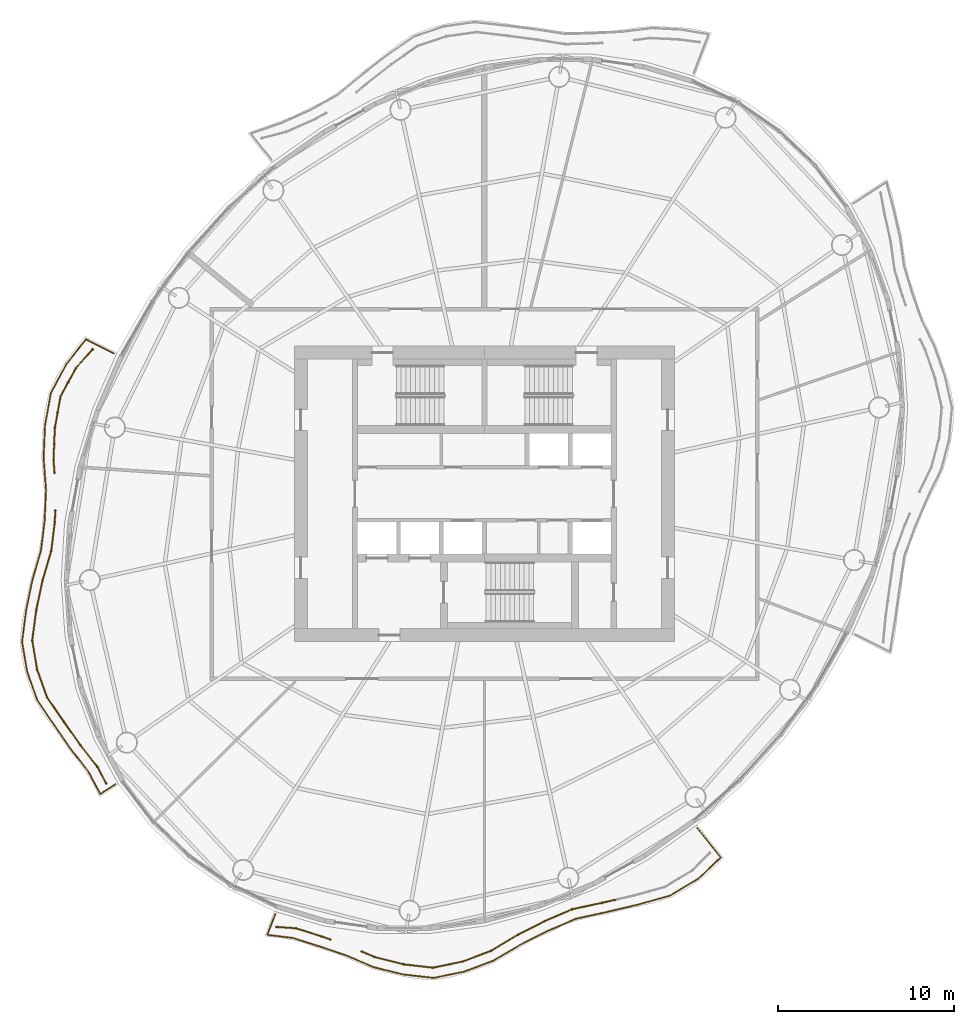
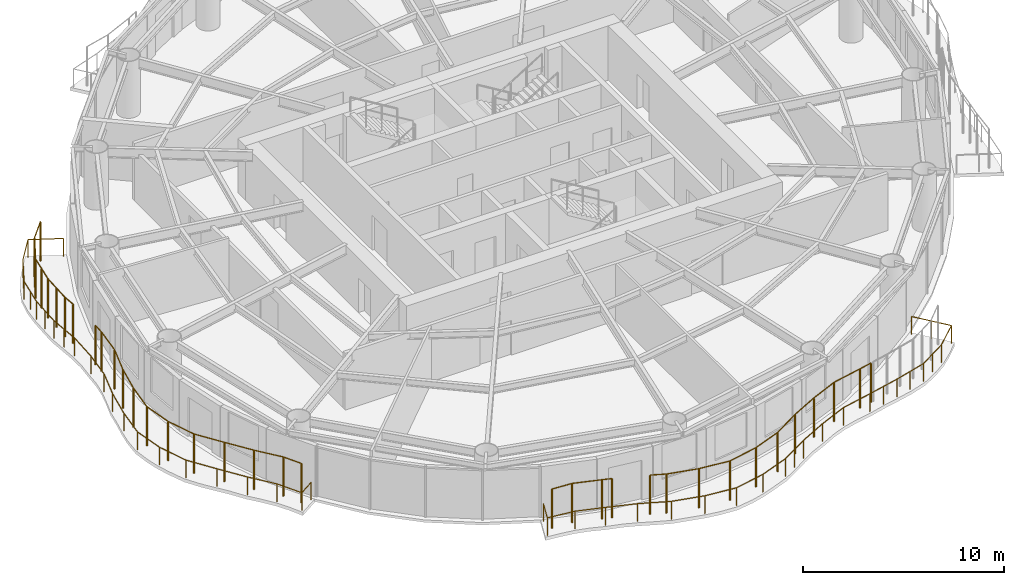
# One storey, part 12 of 14: 6 railings.
"""IFC4 building model written with IfcOpenShell, lengths in metres."""

from ifc_helpers import new_model, si_unit, direction, frame, origin, origin_2d, place, context, subcontext, project, spatial, circle, extrude, material, type_object, element, save


model = new_model("IFC4")

# Units and contexts
model_context = context("Model", 3, precision=1e-05, world=origin(), true_north=direction((0.0, 1.0)))
body_context = subcontext(model_context, "Body", "Model", "MODEL_VIEW")
ifc_project = project(units=[si_unit("LENGTHUNIT", "METRE"), si_unit("AREAUNIT", "SQUARE_METRE"), si_unit("VOLUMEUNIT", "CUBIC_METRE"), si_unit("PLANEANGLEUNIT", "RADIAN"), si_unit("MASSUNIT", "GRAM", prefix="KILO")], contexts=[model_context])

# Site, building, storey
site_placement = place(None, origin())
site = spatial("IfcSite", under=ifc_project, at=site_placement, CompositionType="ELEMENT")
building_placement = place(site_placement, origin())
building = spatial("IfcBuilding", under=site, at=building_placement, Name="Vermilion Reach Broadcast Tower", CompositionType="ELEMENT")
storey_placement = place(building_placement, frame((0.0, 0.0, 235.300048828125)))
storey = spatial("IfcBuildingStorey", under=building, at=storey_placement, Name="L58", CompositionType="ELEMENT", Elevation=235.300048828125)

# Railings
ifc_material_1 = material(Name="Terracotta baguette", Category="masonry")
railing_type_1 = type_object("IfcRailingType", Name="BAGUETTE SCREEN", PredefinedType="USERDEFINED", material=ifc_material_1)
railing_1_placement = place(storey_placement, frame((-28.257080078125, 8.21142578125, 0.0)))
element("IfcRailing", 1, at=railing_1_placement, inside=storey, type_object=railing_type_1, Name="Baguette screen L58 group 2 part 1", ObjectType="BAGUETTE SCREEN", PredefinedType="USERDEFINED", context=body_context, shape_type="SweptSolid", body=[
    extrude(circle(Radius=0.030029296875, at=origin_2d()), frame((0.0, 0.0, 2.369873046875), z_axis=(-0.667968255076, -0.744189767606, 0.0), x_axis=(0.744189767606, -0.667968255076, 0.0)), (0.0, 0.0, 1.0), 1.422119140625),
    extrude(circle(Radius=0.030029296875, at=origin_2d()), frame((-0.949951171875, -1.058349609375, 2.369873046875), z_axis=(-0.475711031278, -0.879601622736, 0.0), x_axis=(0.879601622736, -0.475711031278, 0.0)), (0.0, 0.0, 1.0), 1.842529296875),
    extrude(circle(Radius=0.030029296875, at=origin_2d()), frame((-1.826416015625, -2.678955078125, 2.369873046875), z_axis=(-0.177552757441, -0.984111283507, 0.0), x_axis=(0.984111283507, -0.177552757441, 0.0)), (0.0, 0.0, 1.0), 1.822021484375),
    extrude(circle(Radius=0.030029296875, at=origin_2d()), frame((-2.14990234375, -4.471923828125, 2.369873046875), z_axis=(-0.040350956585, -0.999185568502, 0.0), x_axis=(0.999185568502, -0.040350956585, 0.0)), (0.0, 0.0, 1.0), 1.833251953125),
    extrude(circle(Radius=0.030029296875, at=origin_2d()), frame((-2.223876953125, -6.3037109375, 2.369873046875), z_axis=(0.081542600898, -0.996669857194, 0.0), x_axis=(0.996669857194, 0.081542600898, 0.0)), (0.0, 0.0, 1.0), 0.712646484375),
    extrude(circle(Radius=0.050048828125, at=origin_2d()), origin(), (0.0, 0.0, 1.0), 2.33984375),
    extrude(circle(Radius=0.050048828125, at=origin_2d()), frame((-0.949951171875, -1.058349609375, 0.0)), (0.0, 0.0, 1.0), 2.33984375),
    extrude(circle(Radius=0.050048828125, at=origin_2d()), frame((-1.38818359375, -1.86865234375, 0.0)), (0.0, 0.0, 1.0), 2.33984375),
    extrude(circle(Radius=0.050048828125, at=origin_2d()), frame((-1.826416015625, -2.678955078125, 0.0)), (0.0, 0.0, 1.0), 2.33984375),
    extrude(circle(Radius=0.050048828125, at=origin_2d()), frame((-1.98828125, -3.575439453125, 0.0)), (0.0, 0.0, 1.0), 2.33984375),
    extrude(circle(Radius=0.050048828125, at=origin_2d()), frame((-2.14990234375, -4.471923828125, 0.0)), (0.0, 0.0, 1.0), 2.33984375),
    extrude(circle(Radius=0.050048828125, at=origin_2d()), frame((-2.18701171875, -5.3876953125, 0.0)), (0.0, 0.0, 1.0), 2.33984375),
    extrude(circle(Radius=0.050048828125, at=origin_2d()), frame((-2.223876953125, -6.3037109375, 0.0)), (0.0, 0.0, 1.0), 2.33984375),
    extrude(circle(Radius=0.050048828125, at=origin_2d()), frame((-2.165771484375, -7.013916015625, 0.0)), (0.0, 0.0, 1.0), 2.33984375),
])
railing_2_placement = place(storey_placement, frame((-30.380615234375, -0.9453125, 0.0)))
element("IfcRailing", 2, at=railing_2_placement, inside=storey, type_object=railing_type_1, Name="Baguette screen L58 group 2 part 2", ObjectType="BAGUETTE SCREEN", PredefinedType="USERDEFINED", context=body_context, shape_type="SweptSolid", body=[
    extrude(circle(Radius=0.030029296875, at=origin_2d()), frame((0.0, 0.0, 2.369873046875), z_axis=(-0.043938144577, -0.999034253392, 0.0), x_axis=(0.999034253392, -0.043938144577, 0.0)), (0.0, 0.0, 1.0), 0.65576171875),
    extrude(circle(Radius=0.030029296875, at=origin_2d()), frame((-0.02880859375, -0.655029296875, 2.369873046875), z_axis=(-0.122571197836, -0.992459722841, 0.0), x_axis=(0.992459722841, -0.122571197836, 0.0)), (0.0, 0.0, 1.0), 1.6630859375),
    extrude(circle(Radius=0.030029296875, at=origin_2d()), frame((-0.232666015625, -2.3056640625, 2.369873046875), z_axis=(-0.282744212873, -0.959195345113, 0.0), x_axis=(0.959195345113, -0.282744212873, 0.0)), (0.0, 0.0, 1.0), 1.73828125),
    extrude(circle(Radius=0.030029296875, at=origin_2d()), frame((-0.72412109375, -3.972900390625, 2.369873046875), z_axis=(-0.208122102984, -0.978102852592, 0.0), x_axis=(0.978102852592, -0.208122102984, 0.0)), (0.0, 0.0, 1.0), 1.718505859375),
    extrude(circle(Radius=0.030029296875, at=origin_2d()), frame((-1.081787109375, -5.65380859375, 2.369873046875), z_axis=(-0.131669298309, -0.991293698095, 0.0), x_axis=(0.991293698095, -0.131669298309, 0.0)), (0.0, 0.0, 1.0), 1.74658203125),
    extrude(circle(Radius=0.030029296875, at=origin_2d()), frame((-1.311767578125, -7.38525390625, 2.369873046875), z_axis=(0.166316667656, -0.986072393924, 0.0), x_axis=(0.986072393924, 0.166316667656, 0.0)), (0.0, 0.0, 1.0), 1.671875),
    extrude(circle(Radius=0.030029296875, at=origin_2d()), frame((-1.03369140625, -9.033935546875, 2.369873046875), z_axis=(0.337274375333, -0.941406392449, 0.0), x_axis=(0.941406392449, 0.337274375333, 0.0)), (0.0, 0.0, 1.0), 1.681640625),
    extrude(circle(Radius=0.030029296875, at=origin_2d()), frame((-0.466552734375, -10.616943359375, 2.369873046875), z_axis=(0.565209484296, -0.824947415816, 0.0), x_axis=(0.824947415816, 0.565209484296, 0.0)), (0.0, 0.0, 1.0), 1.681640625),
    extrude(circle(Radius=0.030029296875, at=origin_2d()), frame((0.48388671875, -12.004150390625, 2.369873046875), z_axis=(0.576418170347, -0.817154876932, 0.0), x_axis=(0.817154876932, 0.576418170347, 0.0)), (0.0, 0.0, 1.0), 1.627685546875),
    extrude(circle(Radius=0.030029296875, at=origin_2d()), frame((1.422119140625, -13.334228515625, 2.369873046875), z_axis=(0.617033569769, -0.786936829598, 0.0), x_axis=(0.786936829598, 0.617033569769, 0.0)), (0.0, 0.0, 1.0), 1.560546875),
    extrude(circle(Radius=0.030029296875, at=origin_2d()), frame((2.385009765625, -14.562255859375, 2.369873046875), z_axis=(0.469510863882, -0.882926694974, 0.0), x_axis=(0.882926694974, 0.469510863882, 0.0)), (0.0, 0.0, 1.0), 1.070556640625),
    extrude(circle(Radius=0.050048828125, at=origin_2d()), origin(), (0.0, 0.0, 1.0), 2.33984375),
    extrude(circle(Radius=0.050048828125, at=origin_2d()), frame((-0.02880859375, -0.655029296875, 0.0)), (0.0, 0.0, 1.0), 2.33984375),
    extrude(circle(Radius=0.050048828125, at=origin_2d()), frame((-0.232666015625, -2.3056640625, 0.0)), (0.0, 0.0, 1.0), 2.33984375),
    extrude(circle(Radius=0.050048828125, at=origin_2d()), frame((-0.72412109375, -3.972900390625, 0.0)), (0.0, 0.0, 1.0), 2.33984375),
    extrude(circle(Radius=0.050048828125, at=origin_2d()), frame((-1.081787109375, -5.65380859375, 0.0)), (0.0, 0.0, 1.0), 2.33984375),
    extrude(circle(Radius=0.050048828125, at=origin_2d()), frame((-1.311767578125, -7.38525390625, 0.0)), (0.0, 0.0, 1.0), 2.33984375),
    extrude(circle(Radius=0.050048828125, at=origin_2d()), frame((-1.03369140625, -9.033935546875, 0.0)), (0.0, 0.0, 1.0), 2.33984375),
    extrude(circle(Radius=0.050048828125, at=origin_2d()), frame((-0.466552734375, -10.616943359375, 0.0)), (0.0, 0.0, 1.0), 2.33984375),
    extrude(circle(Radius=0.050048828125, at=origin_2d()), frame((0.48388671875, -12.004150390625, 0.0)), (0.0, 0.0, 1.0), 2.33984375),
    extrude(circle(Radius=0.050048828125, at=origin_2d()), frame((1.422119140625, -13.334228515625, 0.0)), (0.0, 0.0, 1.0), 2.33984375),
    extrude(circle(Radius=0.050048828125, at=origin_2d()), frame((2.385009765625, -14.562255859375, 0.0)), (0.0, 0.0, 1.0), 2.33984375),
    extrude(circle(Radius=0.050048828125, at=origin_2d()), frame((2.8876953125, -15.507568359375, 0.0)), (0.0, 0.0, 1.0), 2.33984375),
])
railing_3_placement = place(storey_placement, frame((-17.808837890625, -24.607666015625, 0.0)))
element("IfcRailing", 3, at=railing_3_placement, inside=storey, type_object=railing_type_1, Name="Baguette screen L58 group 3 part 1", ObjectType="BAGUETTE SCREEN", PredefinedType="USERDEFINED", context=body_context, shape_type="SweptSolid", body=[
    extrude(circle(Radius=0.030029296875, at=origin_2d()), frame((0.0, 0.0, 2.369873046875), z_axis=(0.997620475431, -0.068944811268, 0.0), x_axis=(0.068944811268, 0.997620475431, 0.0)), (0.0, 0.0, 1.0), 1.115478515625),
    extrude(circle(Radius=0.030029296875, at=origin_2d()), frame((1.11279296875, -0.076904296875, 2.369873046875), z_axis=(0.95231220452, -0.305125326912, 0.0), x_axis=(0.305125326912, 0.95231220452, 0.0)), (0.0, 0.0, 1.0), 1.520263671875),
    extrude(circle(Radius=0.030029296875, at=origin_2d()), frame((2.560546875, -0.540771484375, 2.369873046875), z_axis=(0.946606430931, -0.32239147774, 0.0), x_axis=(0.32239147774, 0.946606430931, 0.0)), (0.0, 0.0, 1.0), 0.510498046875),
    extrude(circle(Radius=0.050048828125, at=origin_2d()), origin(), (0.0, 0.0, 1.0), 2.33984375),
    extrude(circle(Radius=0.050048828125, at=origin_2d()), frame((1.11279296875, -0.076904296875, 0.0)), (0.0, 0.0, 1.0), 2.33984375),
    extrude(circle(Radius=0.050048828125, at=origin_2d()), frame((2.560546875, -0.540771484375, 0.0)), (0.0, 0.0, 1.0), 2.33984375),
    extrude(circle(Radius=0.050048828125, at=origin_2d()), frame((3.043701171875, -0.705322265625, 0.0)), (0.0, 0.0, 1.0), 2.33984375),
])
railing_4_placement = place(storey_placement, frame((-12.971923828125, -25.9990234375, 0.0)))
element("IfcRailing", 4, at=railing_4_placement, inside=storey, type_object=railing_type_1, Name="Baguette screen L58 group 3 part 2", ObjectType="BAGUETTE SCREEN", PredefinedType="USERDEFINED", context=body_context, shape_type="SweptSolid", body=[
    extrude(circle(Radius=0.030029296875, at=origin_2d()), frame((0.0, 0.0, 2.369873046875), z_axis=(0.916392557656, -0.400280751814, 0.0), x_axis=(0.400280751814, 0.916392557656, 0.0)), (0.0, 0.0, 1.0), 0.809326171875),
    extrude(circle(Radius=0.030029296875, at=origin_2d()), frame((0.74169921875, -0.323974609375, 2.369873046875), z_axis=(0.970227394783, -0.242195793547, 0.0), x_axis=(0.242195793547, 0.970227394783, 0.0)), (0.0, 0.0, 1.0), 1.6904296875),
    extrude(circle(Radius=0.030029296875, at=origin_2d()), frame((2.3818359375, -0.7333984375, 2.369873046875), z_axis=(0.993460172664, -0.114179180806, 0.0), x_axis=(0.114179180806, 0.993460172664, 0.0)), (0.0, 0.0, 1.0), 1.68701171875),
    extrude(circle(Radius=0.030029296875, at=origin_2d()), frame((4.057861328125, -0.926025390625, 2.369873046875), z_axis=(0.978812455811, 0.204758824838, 0.0), x_axis=(-0.204758824838, 0.978812455811, 0.0)), (0.0, 0.0, 1.0), 1.720458984375),
    extrude(circle(Radius=0.030029296875, at=origin_2d()), frame((5.741943359375, -0.57373046875, 2.369873046875), z_axis=(0.935633546403, 0.352972898173, 0.0), x_axis=(-0.352972898173, 0.935633546403, 0.0)), (0.0, 0.0, 1.0), 1.720947265625),
    extrude(circle(Radius=0.030029296875, at=origin_2d()), frame((7.35205078125, 0.03369140625, 2.369873046875), z_axis=(0.857360242377, 0.514716829714, 0.0), x_axis=(-0.514716829714, 0.857360242377, 0.0)), (0.0, 0.0, 1.0), 1.786376953125),
    extrude(circle(Radius=0.030029296875, at=origin_2d()), frame((8.883544921875, 0.953125, 2.369873046875), z_axis=(0.892202617043, 0.451635350854, 0.0), x_axis=(-0.451635350854, 0.892202617043, 0.0)), (0.0, 0.0, 1.0), 1.698486328125),
    extrude(circle(Radius=0.030029296875, at=origin_2d()), frame((10.39892578125, 1.72021484375, 2.369873046875), z_axis=(0.917752537895, 0.397152715196, 0.0), x_axis=(-0.397152715196, 0.917752537895, 0.0)), (0.0, 0.0, 1.0), 1.702880859375),
    extrude(circle(Radius=0.030029296875, at=origin_2d()), frame((11.961669921875, 2.396484375, 2.369873046875), z_axis=(0.977708022167, 0.209969101036, 0.0), x_axis=(-0.209969101036, 0.977708022167, 0.0)), (0.0, 0.0, 1.0), 1.742919921875),
    extrude(circle(Radius=0.030029296875, at=origin_2d()), frame((13.665771484375, 2.762451171875, 2.369873046875), z_axis=(0.974289385436, 0.22530022953, 0.0), x_axis=(-0.22530022953, 0.974289385436, 0.0)), (0.0, 0.0, 1.0), 0.728271484375),
    extrude(circle(Radius=0.050048828125, at=origin_2d()), origin(), (0.0, 0.0, 1.0), 2.33984375),
    extrude(circle(Radius=0.050048828125, at=origin_2d()), frame((0.74169921875, -0.323974609375, 0.0)), (0.0, 0.0, 1.0), 2.33984375),
    extrude(circle(Radius=0.050048828125, at=origin_2d()), frame((2.3818359375, -0.7333984375, 0.0)), (0.0, 0.0, 1.0), 2.33984375),
    extrude(circle(Radius=0.050048828125, at=origin_2d()), frame((4.057861328125, -0.926025390625, 0.0)), (0.0, 0.0, 1.0), 2.33984375),
    extrude(circle(Radius=0.050048828125, at=origin_2d()), frame((5.741943359375, -0.57373046875, 0.0)), (0.0, 0.0, 1.0), 2.33984375),
    extrude(circle(Radius=0.050048828125, at=origin_2d()), frame((7.35205078125, 0.03369140625, 0.0)), (0.0, 0.0, 1.0), 2.33984375),
    extrude(circle(Radius=0.050048828125, at=origin_2d()), frame((8.883544921875, 0.953125, 0.0)), (0.0, 0.0, 1.0), 2.33984375),
    extrude(circle(Radius=0.050048828125, at=origin_2d()), frame((10.39892578125, 1.72021484375, 0.0)), (0.0, 0.0, 1.0), 2.33984375),
    extrude(circle(Radius=0.050048828125, at=origin_2d()), frame((11.961669921875, 2.396484375, 0.0)), (0.0, 0.0, 1.0), 2.33984375),
    extrude(circle(Radius=0.050048828125, at=origin_2d()), frame((13.665771484375, 2.762451171875, 0.0)), (0.0, 0.0, 1.0), 2.33984375),
    extrude(circle(Radius=0.050048828125, at=origin_2d()), frame((14.375244140625, 2.926513671875, 0.0)), (0.0, 0.0, 1.0), 2.33984375),
])
ifc_material_2 = material(Name="Stainless steel 316 balustrade", Category="steel")
railing_type_2 = type_object("IfcRailingType", Name="Balcony guard 1100", PredefinedType="BALUSTRADE", material=ifc_material_2)
railing_5_placement = place(storey_placement, frame((-27.054443359375, 7.974853515625, 0.0)))
element("IfcRailing", 5, at=railing_5_placement, inside=storey, type_object=railing_type_2, Name="Balcony guard L58 group 2", PredefinedType="BALUSTRADE", context=body_context, shape_type="SweptSolid", body=[
    extrude(circle(Radius=0.02490234375, at=origin_2d()), frame((0.0, 0.0, 1.0751953125), z_axis=(-0.893188386362, 0.449682673079, 0.0), x_axis=(-0.449682673079, -0.893188386362, 0.0)), (0.0, 0.0, 1.0), 1.778564453125),
    extrude(circle(Radius=0.02490234375, at=origin_2d()), frame((-1.588623046875, 0.7998046875, 1.0751953125), z_axis=(-0.619075996408, -0.785331083475, 0.0), x_axis=(0.785331083475, -0.619075996408, 0.0)), (0.0, 0.0, 1.0), 1.76953125),
    extrude(circle(Radius=0.02490234375, at=origin_2d()), frame((-2.68408203125, -0.58984375, 1.0751953125), z_axis=(-0.474092058242, -0.88047528092, 0.0), x_axis=(0.88047528092, -0.474092058242, 0.0)), (0.0, 0.0, 1.0), 1.875),
    extrude(circle(Radius=0.02490234375, at=origin_2d()), frame((-3.572998046875, -2.24072265625, 1.0751953125), z_axis=(-0.180136769992, -0.983641572981, 0.0), x_axis=(0.983641572981, -0.180136769992, 0.0)), (0.0, 0.0, 1.0), 1.85400390625),
    extrude(circle(Radius=0.02490234375, at=origin_2d()), frame((-3.906982421875, -4.064453125, 1.0751953125), z_axis=(-0.044470233221, -0.999010709831, 0.0), x_axis=(0.999010709831, -0.044470233221, 0.0)), (0.0, 0.0, 1.0), 1.86669921875),
    extrude(circle(Radius=0.02490234375, at=origin_2d()), frame((-3.989990234375, -5.92919921875, 1.0751953125), z_axis=(0.076187216045, -0.997093530272, 0.0), x_axis=(0.997093530272, 0.076187216045, 0.0)), (0.0, 0.0, 1.0), 1.8330078125),
    extrude(circle(Radius=0.02490234375, at=origin_2d()), frame((-3.850341796875, -7.7568359375, 1.0751953125), z_axis=(-0.045888497749, -0.998946568028, 0.0), x_axis=(0.998946568028, -0.045888497749, 0.0)), (0.0, 0.0, 1.0), 1.75048828125),
    extrude(circle(Radius=0.02490234375, at=origin_2d()), frame((-3.9306640625, -9.50537109375, 1.0751953125), z_axis=(-0.122017981253, -0.992527889911, 0.0), x_axis=(0.992527889911, -0.122017981253, 0.0)), (0.0, 0.0, 1.0), 1.69873046875),
    extrude(circle(Radius=0.02490234375, at=origin_2d()), frame((-4.137939453125, -11.19140625, 1.0751953125), z_axis=(-0.277573523746, -0.96070439726, 0.0), x_axis=(0.96070439726, -0.277573523746, 0.0)), (0.0, 0.0, 1.0), 1.774169921875),
    extrude(circle(Radius=0.02490234375, at=origin_2d()), frame((-4.63037109375, -12.895751953125, 1.0751953125), z_axis=(-0.203015093431, -0.979175608274, 0.0), x_axis=(0.979175608274, -0.203015093431, 0.0)), (0.0, 0.0, 1.0), 1.754638671875),
    extrude(circle(Radius=0.02490234375, at=origin_2d()), frame((-4.986572265625, -14.61376953125, 1.0751953125), z_axis=(-0.126660522669, -0.991946123536, 0.0), x_axis=(0.991946123536, -0.126660522669, 0.0)), (0.0, 0.0, 1.0), 1.784912109375),
    extrude(circle(Radius=0.02490234375, at=origin_2d()), frame((-5.212646484375, -16.38427734375, 1.0751953125), z_axis=(0.166365336205, -0.986064183971, 0.0), x_axis=(0.986064183971, 0.166365336205, 0.0)), (0.0, 0.0, 1.0), 1.711181640625),
    extrude(circle(Radius=0.02490234375, at=origin_2d()), frame((-4.927978515625, -18.071533203125, 1.0751953125), z_axis=(0.33491739294, -0.942247493977, 0.0), x_axis=(0.942247493977, 0.33491739294, 0.0)), (0.0, 0.0, 1.0), 1.722412109375),
    extrude(circle(Radius=0.02490234375, at=origin_2d()), frame((-4.35107421875, -19.694580078125, 1.0751953125), z_axis=(0.559567859476, -0.828784538129, 0.0), x_axis=(0.828784538129, 0.559567859476, 0.0)), (0.0, 0.0, 1.0), 1.72119140625),
    extrude(circle(Radius=0.02490234375, at=origin_2d()), frame((-3.387939453125, -21.12109375, 1.0751953125), z_axis=(0.571655486307, -0.820493756817, 0.0), x_axis=(0.820493756817, 0.571655486307, 0.0)), (0.0, 0.0, 1.0), 1.669921875),
    extrude(circle(Radius=0.02490234375, at=origin_2d()), frame((-2.433349609375, -22.4912109375, 1.0751953125), z_axis=(0.612621623928, -0.790376331816, 0.0), x_axis=(0.790376331816, 0.612621623928, 0.0)), (0.0, 0.0, 1.0), 1.602783203125),
    extrude(circle(Radius=0.02490234375, at=origin_2d()), frame((-1.451416015625, -23.758056640625, 1.0751953125), z_axis=(0.471972946941, -0.881613031526, 0.0), x_axis=(0.881613031526, 0.471972946941, 0.0)), (0.0, 0.0, 1.0), 1.4453125),
    extrude(circle(Radius=0.02490234375, at=origin_2d()), frame((-0.769287109375, -25.0322265625, 1.0751953125), z_axis=(0.840510626331, 0.541795059985, 0.0), x_axis=(-0.541795059985, 0.840510626331, 0.0)), (0.0, 0.0, 1.0), 1.0224609375),
    extrude(circle(Radius=0.02490234375, at=origin_2d()), origin(), (0.0, 0.0, 1.0), 1.050048828125),
    extrude(circle(Radius=0.02490234375, at=origin_2d()), frame((-1.588623046875, 0.7998046875, 0.0)), (0.0, 0.0, 1.0), 1.050048828125),
    extrude(circle(Radius=0.02490234375, at=origin_2d()), frame((-2.68408203125, -0.58984375, 0.0)), (0.0, 0.0, 1.0), 1.050048828125),
    extrude(circle(Radius=0.02490234375, at=origin_2d()), frame((-3.12841796875, -1.415283203125, 0.0)), (0.0, 0.0, 1.0), 1.050048828125),
    extrude(circle(Radius=0.02490234375, at=origin_2d()), frame((-3.572998046875, -2.24072265625, 0.0)), (0.0, 0.0, 1.0), 1.050048828125),
    extrude(circle(Radius=0.02490234375, at=origin_2d()), frame((-3.739990234375, -3.152587890625, 0.0)), (0.0, 0.0, 1.0), 1.050048828125),
    extrude(circle(Radius=0.02490234375, at=origin_2d()), frame((-3.906982421875, -4.064453125, 0.0)), (0.0, 0.0, 1.0), 1.050048828125),
    extrude(circle(Radius=0.02490234375, at=origin_2d()), frame((-3.948486328125, -4.996826171875, 0.0)), (0.0, 0.0, 1.0), 1.050048828125),
    extrude(circle(Radius=0.02490234375, at=origin_2d()), frame((-3.989990234375, -5.92919921875, 0.0)), (0.0, 0.0, 1.0), 1.050048828125),
    extrude(circle(Radius=0.02490234375, at=origin_2d()), frame((-3.920166015625, -6.843017578125, 0.0)), (0.0, 0.0, 1.0), 1.050048828125),
    extrude(circle(Radius=0.02490234375, at=origin_2d()), frame((-3.850341796875, -7.7568359375, 0.0)), (0.0, 0.0, 1.0), 1.050048828125),
    extrude(circle(Radius=0.02490234375, at=origin_2d()), frame((-3.9306640625, -9.50537109375, 0.0)), (0.0, 0.0, 1.0), 1.050048828125),
    extrude(circle(Radius=0.02490234375, at=origin_2d()), frame((-4.137939453125, -11.19140625, 0.0)), (0.0, 0.0, 1.0), 1.050048828125),
    extrude(circle(Radius=0.02490234375, at=origin_2d()), frame((-4.63037109375, -12.895751953125, 0.0)), (0.0, 0.0, 1.0), 1.050048828125),
    extrude(circle(Radius=0.02490234375, at=origin_2d()), frame((-4.986572265625, -14.61376953125, 0.0)), (0.0, 0.0, 1.0), 1.050048828125),
    extrude(circle(Radius=0.02490234375, at=origin_2d()), frame((-5.212646484375, -16.38427734375, 0.0)), (0.0, 0.0, 1.0), 1.050048828125),
    extrude(circle(Radius=0.02490234375, at=origin_2d()), frame((-4.927978515625, -18.071533203125, 0.0)), (0.0, 0.0, 1.0), 1.050048828125),
    extrude(circle(Radius=0.02490234375, at=origin_2d()), frame((-4.35107421875, -19.694580078125, 0.0)), (0.0, 0.0, 1.0), 1.050048828125),
    extrude(circle(Radius=0.02490234375, at=origin_2d()), frame((-3.387939453125, -21.12109375, 0.0)), (0.0, 0.0, 1.0), 1.050048828125),
    extrude(circle(Radius=0.02490234375, at=origin_2d()), frame((-2.433349609375, -22.4912109375, 0.0)), (0.0, 0.0, 1.0), 1.050048828125),
    extrude(circle(Radius=0.02490234375, at=origin_2d()), frame((-1.451416015625, -23.758056640625, 0.0)), (0.0, 0.0, 1.0), 1.050048828125),
    extrude(circle(Radius=0.02490234375, at=origin_2d()), frame((-0.769287109375, -25.0322265625, 0.0)), (0.0, 0.0, 1.0), 1.050048828125),
    extrude(circle(Radius=0.02490234375, at=origin_2d()), frame((0.090087890625, -24.478271484375, 0.0)), (0.0, 0.0, 1.0), 1.050048828125),
])
railing_6_placement = place(storey_placement, frame((-17.88427734375, -23.887939453125, 0.0)))
element("IfcRailing", 6, at=railing_6_placement, inside=storey, type_object=railing_type_2, Name="Balcony guard L58 group 3", PredefinedType="BALUSTRADE", context=body_context, shape_type="SweptSolid", body=[
    extrude(circle(Radius=0.02490234375, at=origin_2d()), frame((0.0, 0.0, 1.0751953125), z_axis=(-0.359201577835, -0.9332599994, 0.0), x_axis=(0.9332599994, -0.359201577835, 0.0)), (0.0, 0.0, 1.0), 1.25),
    extrude(circle(Radius=0.02490234375, at=origin_2d()), frame((-0.448974609375, -1.16650390625, 1.0751953125), z_axis=(0.99212262411, -0.125270502231, 0.0), x_axis=(0.125270502231, 0.99212262411, 0.0)), (0.0, 0.0, 1.0), 1.483154296875),
    extrude(circle(Radius=0.02490234375, at=origin_2d()), frame((1.0224609375, -1.352294921875, 1.0751953125), z_axis=(0.952800586112, -0.303596843042, 0.0), x_axis=(0.303596843042, 0.952800586112, 0.0)), (0.0, 0.0, 1.0), 1.563232421875),
    extrude(circle(Radius=0.02490234375, at=origin_2d()), frame((2.511962890625, -1.826904296875, 1.0751953125), z_axis=(0.947806543628, -0.318845975128, 0.0), x_axis=(0.318845975128, 0.947806543628, 0.0)), (0.0, 0.0, 1.0), 1.621826171875),
    extrude(circle(Radius=0.02490234375, at=origin_2d()), frame((4.049072265625, -2.343994140625, 1.0751953125), z_axis=(0.919315616122, -0.393521026065, 0.0), x_axis=(0.393521026065, 0.919315616122, 0.0)), (0.0, 0.0, 1.0), 1.70166015625),
    extrude(circle(Radius=0.02490234375, at=origin_2d()), frame((5.613525390625, -3.013671875, 1.0751953125), z_axis=(0.971414910294, -0.237388020041, 0.0), x_axis=(0.237388020041, 0.971414910294, 0.0)), (0.0, 0.0, 1.0), 1.73095703125),
    extrude(circle(Radius=0.02490234375, at=origin_2d()), frame((7.294921875, -3.424560546875, 1.0751953125), z_axis=(0.993845719877, -0.110773124365, 0.0), x_axis=(0.110773124365, 0.993845719877, 0.0)), (0.0, 0.0, 1.0), 1.725830078125),
    extrude(circle(Radius=0.02490234375, at=origin_2d()), frame((9.010009765625, -3.61572265625, 1.0751953125), z_axis=(0.979273704819, 0.202541381079, 0.0), x_axis=(-0.202541381079, 0.979273704819, 0.0)), (0.0, 0.0, 1.0), 1.759765625),
    extrude(circle(Radius=0.02490234375, at=origin_2d()), frame((10.7333984375, -3.25927734375, 1.0751953125), z_axis=(0.937058047862, 0.349173617182, 0.0), x_axis=(-0.349173617182, 0.937058047862, 0.0)), (0.0, 0.0, 1.0), 1.757080078125),
    extrude(circle(Radius=0.02490234375, at=origin_2d()), frame((12.3798828125, -2.645751953125, 1.0751953125), z_axis=(0.860563497227, 0.50934317237, 0.0), x_axis=(-0.50934317237, 0.860563497227, 0.0)), (0.0, 0.0, 1.0), 1.822021484375),
    extrude(circle(Radius=0.02490234375, at=origin_2d()), frame((13.94775390625, -1.7177734375, 1.0751953125), z_axis=(0.893806611288, 0.448452607996, 0.0), x_axis=(-0.448452607996, 0.893806611288, 0.0)), (0.0, 0.0, 1.0), 1.7333984375),
    extrude(circle(Radius=0.02490234375, at=origin_2d()), frame((15.4970703125, -0.9404296875, 1.0751953125), z_axis=(0.918132056063, 0.396274560917, 0.0), x_axis=(-0.396274560917, 0.918132056063, 0.0)), (0.0, 0.0, 1.0), 1.738037109375),
    extrude(circle(Radius=0.02490234375, at=origin_2d()), frame((17.0927734375, -0.251708984375, 1.0751953125), z_axis=(0.976867729551, 0.213844427009, 0.0), x_axis=(-0.213844427009, 0.976867729551, 0.0)), (0.0, 0.0, 1.0), 1.7763671875),
    extrude(circle(Radius=0.02490234375, at=origin_2d()), frame((18.828125, 0.128173828125, 1.0751953125), z_axis=(0.973325492738, 0.229428605857, 0.0), x_axis=(-0.229428605857, 0.973325492738, 0.0)), (0.0, 0.0, 1.0), 1.8525390625),
    extrude(circle(Radius=0.02490234375, at=origin_2d()), frame((20.63134765625, 0.55322265625, 1.0751953125), z_axis=(0.962780696556, 0.270283795923, 0.0), x_axis=(-0.270283795923, 0.962780696556, 0.0)), (0.0, 0.0, 1.0), 1.88330078125),
    extrude(circle(Radius=0.02490234375, at=origin_2d()), frame((22.444580078125, 1.062255859375, 1.0751953125), z_axis=(0.855210133835, 0.518281416787, 0.0), x_axis=(-0.518281416787, 0.855210133835, 0.0)), (0.0, 0.0, 1.0), 1.865966796875),
    extrude(circle(Radius=0.02490234375, at=origin_2d()), frame((24.040283203125, 2.029296875, 1.0751953125), z_axis=(0.727949823087, 0.685630407048, 0.0), x_axis=(-0.685630407048, 0.727949823087, 0.0)), (0.0, 0.0, 1.0), 1.748046875),
    extrude(circle(Radius=0.02490234375, at=origin_2d()), frame((25.312744140625, 3.227783203125, 1.0751953125), z_axis=(-0.622226175855, 0.782837522147, 0.0), x_axis=(-0.782837522147, -0.622226175855, 0.0)), (0.0, 0.0, 1.0), 2.13720703125),
    extrude(circle(Radius=0.02490234375, at=origin_2d()), origin(), (0.0, 0.0, 1.0), 1.050048828125),
    extrude(circle(Radius=0.02490234375, at=origin_2d()), frame((-0.448974609375, -1.16650390625, 0.0)), (0.0, 0.0, 1.0), 1.050048828125),
    extrude(circle(Radius=0.02490234375, at=origin_2d()), frame((1.0224609375, -1.352294921875, 0.0)), (0.0, 0.0, 1.0), 1.050048828125),
    extrude(circle(Radius=0.02490234375, at=origin_2d()), frame((2.511962890625, -1.826904296875, 0.0)), (0.0, 0.0, 1.0), 1.050048828125),
    extrude(circle(Radius=0.02490234375, at=origin_2d()), frame((4.049072265625, -2.343994140625, 0.0)), (0.0, 0.0, 1.0), 1.050048828125),
    extrude(circle(Radius=0.02490234375, at=origin_2d()), frame((5.613525390625, -3.013671875, 0.0)), (0.0, 0.0, 1.0), 1.050048828125),
    extrude(circle(Radius=0.02490234375, at=origin_2d()), frame((7.294921875, -3.424560546875, 0.0)), (0.0, 0.0, 1.0), 1.050048828125),
    extrude(circle(Radius=0.02490234375, at=origin_2d()), frame((9.010009765625, -3.61572265625, 0.0)), (0.0, 0.0, 1.0), 1.050048828125),
    extrude(circle(Radius=0.02490234375, at=origin_2d()), frame((10.7333984375, -3.25927734375, 0.0)), (0.0, 0.0, 1.0), 1.050048828125),
    extrude(circle(Radius=0.02490234375, at=origin_2d()), frame((12.3798828125, -2.645751953125, 0.0)), (0.0, 0.0, 1.0), 1.050048828125),
    extrude(circle(Radius=0.02490234375, at=origin_2d()), frame((13.163818359375, -2.181640625, 0.0)), (0.0, 0.0, 1.0), 1.050048828125),
    extrude(circle(Radius=0.02490234375, at=origin_2d()), frame((13.94775390625, -1.7177734375, 0.0)), (0.0, 0.0, 1.0), 1.050048828125),
    extrude(circle(Radius=0.02490234375, at=origin_2d()), frame((15.4970703125, -0.9404296875, 0.0)), (0.0, 0.0, 1.0), 1.050048828125),
    extrude(circle(Radius=0.02490234375, at=origin_2d()), frame((17.0927734375, -0.251708984375, 0.0)), (0.0, 0.0, 1.0), 1.050048828125),
    extrude(circle(Radius=0.02490234375, at=origin_2d()), frame((18.828125, 0.128173828125, 0.0)), (0.0, 0.0, 1.0), 1.050048828125),
    extrude(circle(Radius=0.02490234375, at=origin_2d()), frame((19.729736328125, 0.3408203125, 0.0)), (0.0, 0.0, 1.0), 1.050048828125),
    extrude(circle(Radius=0.02490234375, at=origin_2d()), frame((20.63134765625, 0.55322265625, 0.0)), (0.0, 0.0, 1.0), 1.050048828125),
    extrude(circle(Radius=0.02490234375, at=origin_2d()), frame((21.5380859375, 0.8076171875, 0.0)), (0.0, 0.0, 1.0), 1.050048828125),
    extrude(circle(Radius=0.02490234375, at=origin_2d()), frame((22.444580078125, 1.062255859375, 0.0)), (0.0, 0.0, 1.0), 1.050048828125),
    extrude(circle(Radius=0.02490234375, at=origin_2d()), frame((23.242431640625, 1.5458984375, 0.0)), (0.0, 0.0, 1.0), 1.050048828125),
    extrude(circle(Radius=0.02490234375, at=origin_2d()), frame((24.040283203125, 2.029296875, 0.0)), (0.0, 0.0, 1.0), 1.050048828125),
    extrude(circle(Radius=0.02490234375, at=origin_2d()), frame((25.312744140625, 3.227783203125, 0.0)), (0.0, 0.0, 1.0), 1.050048828125),
    extrude(circle(Radius=0.02490234375, at=origin_2d()), frame((24.64794921875, 4.064453125, 0.0)), (0.0, 0.0, 1.0), 1.050048828125),
    extrude(circle(Radius=0.02490234375, at=origin_2d()), frame((23.98291015625, 4.90087890625, 0.0)), (0.0, 0.0, 1.0), 1.050048828125),
])

save(model, "model.ifc")
